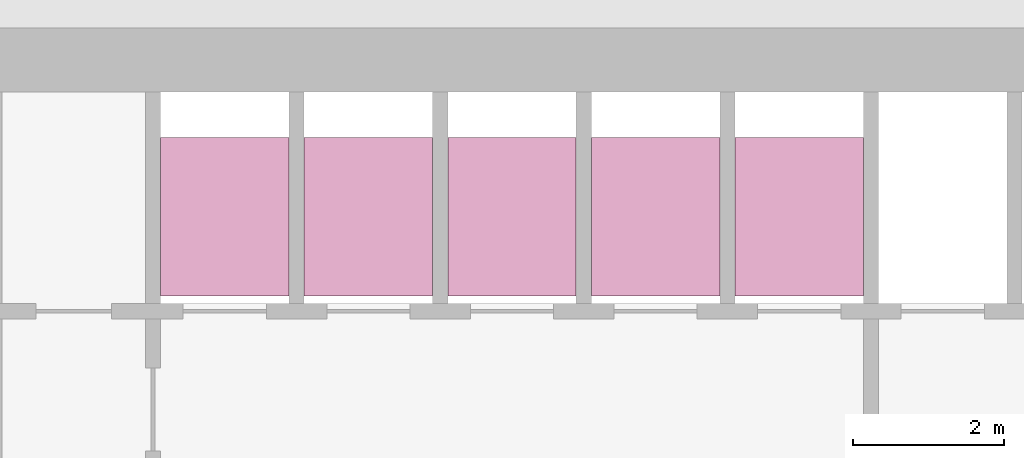
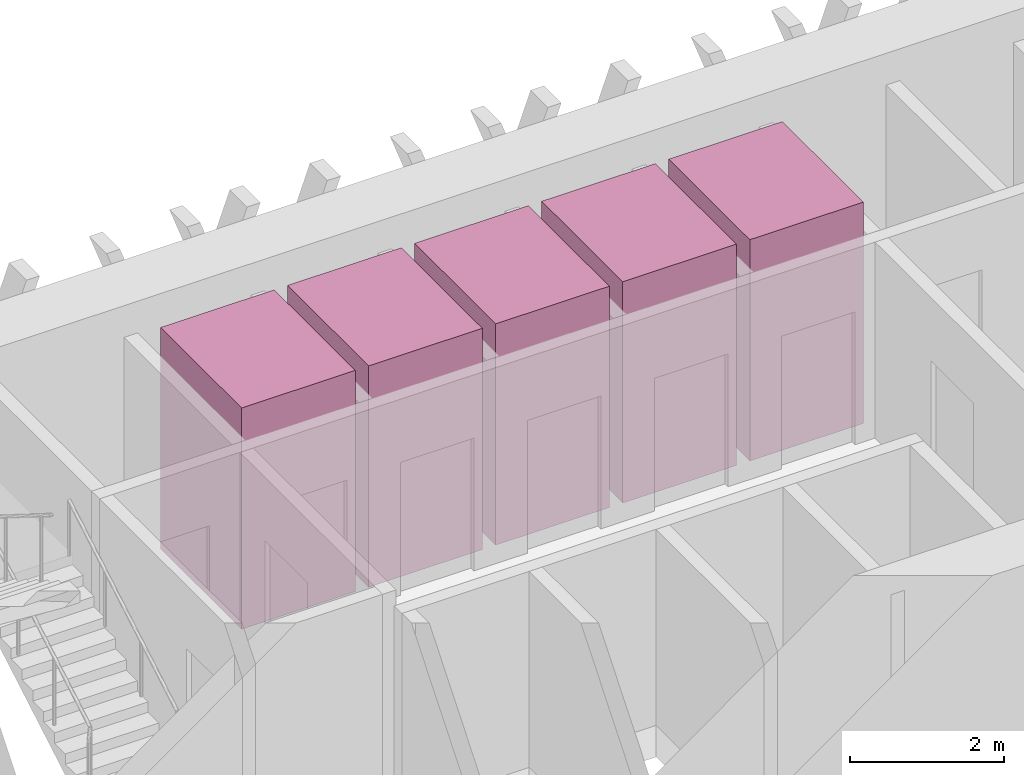
# One storey, part 16 of 16: 5 transport elements.
"""IFC4 building model written with IfcOpenShell, lengths in metres."""

from ifc_helpers import new_model, si_unit, direction, frame, origin, origin_2d, place, context, subcontext, project, spatial, rectangle, extrude, material, type_object, element, save


model = new_model("IFC4")

# Units and contexts
model_context = context("Model", 3, precision=1e-05, world=origin(), true_north=direction((0.0, 1.0)))
body_context = subcontext(model_context, "Body", "Model", "MODEL_VIEW")
ifc_project = project(units=[si_unit("LENGTHUNIT", "METRE"), si_unit("AREAUNIT", "SQUARE_METRE"), si_unit("VOLUMEUNIT", "CUBIC_METRE"), si_unit("PLANEANGLEUNIT", "RADIAN"), si_unit("MASSUNIT", "GRAM", prefix="KILO")], contexts=[model_context])

# Site, building, storey
site_placement = place(None, origin())
site = spatial("IfcSite", under=ifc_project, at=site_placement, CompositionType="ELEMENT")
building_placement = place(site_placement, origin())
building = spatial("IfcBuilding", under=site, at=building_placement, Name="Altiplano Prism Tower", CompositionType="ELEMENT")
storey_placement = place(building_placement, frame((0.0, 0.0, 88.199951171875)))
storey = spatial("IfcBuildingStorey", under=building, at=storey_placement, Name="L22", CompositionType="ELEMENT", Elevation=88.199951171875)

# Transport elements
ifc_material = material(Name="Stainless steel lift car", Category="steel")
transport_element_type = type_object("IfcTransportElementType", Name="Passenger lift car 1600 x 2100", PredefinedType="ELEVATOR", material=ifc_material)
for number, where, z_axis, x_axis, name in (
    (1, (79.050048828125, 101.75, 0.050048828125), (0.0, 0.0, 1.0), (1.0, 0.0, 0.0), "Low Zone Passenger Lift 1"),
    (2, (80.949951171875, 101.75, 0.050048828125), (0.0, 0.0, 1.0), (1.0, 0.0, 0.0), "Low Zone Passenger Lift 2"),
    (3, (82.85009765625, 101.75, 0.050048828125), (0.0, 0.0, 1.0), (1.0, 0.0, 0.0), "Low Zone Passenger Lift 3"),
    (4, (84.75, 101.75, 0.050048828125), (0.0, 0.0, 1.0), (1.0, 0.0, 0.0), "Low Zone Passenger Lift 4"),
    (5, (86.64990234375, 101.75, 0.050048828125), (0.0, 0.0, 1.0), (1.0, 0.0, 0.0), "Low Zone Passenger Lift 5"),
):
    element("IfcTransportElement", number, at=place(storey_placement, frame(where, z_axis=z_axis, x_axis=x_axis)), inside=storey, type_object=transport_element_type, Name=name, PredefinedType="ELEVATOR", context=body_context, shape_type="SweptSolid", body=[
        extrude(rectangle(XDim=1.699951171875, YDim=2.10009765625, at=origin_2d()), origin(), (0.0, 0.0, 1.0), 3.5),
    ])

save(model, "model.ifc")
